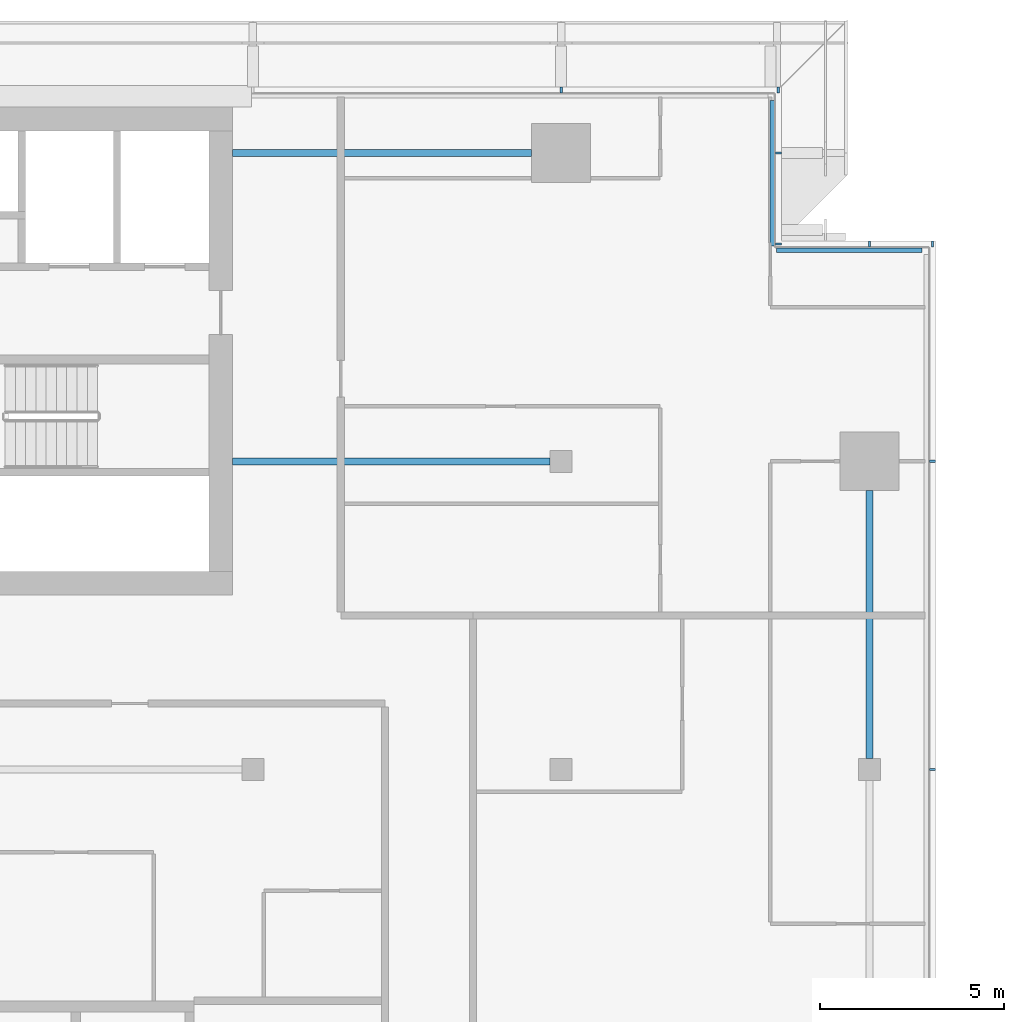
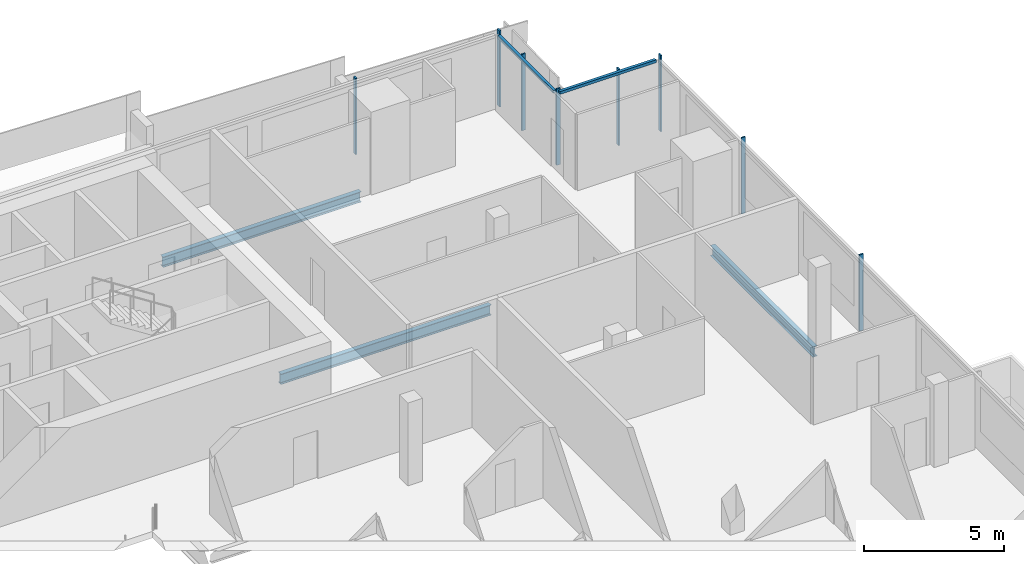
# One storey, part 13 of 29: 10 members, 3 beams, 4 elements without a shape of their own.
"""IFC4 building model written with IfcOpenShell, lengths in metres."""

from ifc_helpers import new_model, si_unit, direction, frame, origin, origin_2d, place, context, subcontext, project, spatial, rectangle, i_section, extrude, material, material_profile, profile_set, type_object, element, aggregate, save


model = new_model("IFC4")

# Units and contexts
model_context = context("Model", 3, precision=1e-05, world=origin(), true_north=direction((0.0, 1.0)))
body_context = subcontext(model_context, "Body", "Model", "MODEL_VIEW")
ifc_project = project(units=[si_unit("LENGTHUNIT", "METRE"), si_unit("AREAUNIT", "SQUARE_METRE"), si_unit("VOLUMEUNIT", "CUBIC_METRE"), si_unit("PLANEANGLEUNIT", "RADIAN"), si_unit("MASSUNIT", "GRAM", prefix="KILO")], contexts=[model_context])

# Site, building, storey
site_placement = place(None, origin())
site = spatial("IfcSite", under=ifc_project, at=site_placement, CompositionType="ELEMENT")
building_placement = place(site_placement, origin())
building = spatial("IfcBuilding", under=site, at=building_placement, Name="Saffron Gate Tower", CompositionType="ELEMENT")
storey_placement = place(building_placement, frame((0.0, 0.0, 227.10009765625)))
storey = spatial("IfcBuildingStorey", under=building, at=storey_placement, Name="L55", CompositionType="ELEMENT", Elevation=227.10009765625)

# Beams
ifc_material_1 = material(Name="Structural steel S355", Category="steel")
ifc_material_profile_1 = material_profile(ifc_material_1, i_section(OverallWidth=0.18994140625, OverallDepth=0.449951171875, WebThickness=0.009521484375, FlangeThickness=0.0146484375, FilletRadius=0.02099609375, at=origin_2d()))
ifc_profile_set_1 = profile_set([ifc_material_profile_1], Name="Structural steel S355")
beam_type_1 = type_object("IfcBeamType", Name="B6 IPE 450", PredefinedType="BEAM", material=ifc_profile_set_1)
beam_1_placement = place(storey_placement, frame((116.699951171875, 65.39990234375, -0.505126953125), z_axis=(-1.0, 0.0, 0.0), x_axis=(0.0, -1.0, 0.0)))
element("IfcBeam", 1, at=beam_1_placement, inside=storey, type_object=beam_type_1, Name="B6 CORE TIE BEAM", PredefinedType="BEAM", context=body_context, shape_type="SweptSolid", body=[
    extrude(i_section(OverallWidth=0.18994140625, OverallDepth=0.449951171875, WebThickness=0.009521484375, FlangeThickness=0.0146484375, FilletRadius=0.02099609375, at=origin_2d()), origin(), (0.0, 0.0, 1.0), 8.64990234375),
])
beam_2_placement = place(storey_placement, frame((116.199951171875, 73.800048828125, -0.505126953125), z_axis=(-1.0, 0.0, 0.0), x_axis=(0.0, -1.0, 0.0)))
element("IfcBeam", 2, at=beam_2_placement, inside=storey, type_object=beam_type_1, Name="B6 CORE TIE BEAM", PredefinedType="BEAM", context=body_context, shape_type="SweptSolid", body=[
    extrude(i_section(OverallWidth=0.18994140625, OverallDepth=0.449951171875, WebThickness=0.009521484375, FlangeThickness=0.0146484375, FilletRadius=0.02099609375, at=origin_2d()), origin(), (0.0, 0.0, 1.0), 8.14990234375),
])
ifc_material_profile_2 = material_profile(ifc_material_1, i_section(OverallWidth=0.18994140625, OverallDepth=0.449951171875, WebThickness=0.009521484375, FlangeThickness=0.0146484375, FilletRadius=0.02099609375, at=origin_2d()))
ifc_profile_set_2 = profile_set([ifc_material_profile_2], Name="Structural steel S355")
beam_type_2 = type_object("IfcBeamType", Name="B7 IPE 450", PredefinedType="SPANDREL", material=ifc_profile_set_2)
beam_3_placement = place(storey_placement, frame((125.39990234375, 57.300048828125, -0.505126953125), z_axis=(0.0, 1.0, 0.0), x_axis=(-1.0, 0.0, 0.0)))
element("IfcBeam", 3, at=beam_3_placement, inside=storey, type_object=beam_type_2, Name="B7 SPANDREL BEAM", PredefinedType="SPANDREL", context=body_context, shape_type="SweptSolid", body=[
    extrude(i_section(OverallWidth=0.18994140625, OverallDepth=0.449951171875, WebThickness=0.009521484375, FlangeThickness=0.0146484375, FilletRadius=0.02099609375, at=origin_2d()), origin(), (0.0, 0.0, 1.0), 7.300048828125),
])

# Curtain wall, members
ifc_material_2 = material(Name="Aluminium, bronze anodised", Category="aluminium")
curtain_wall_type_1 = type_object("IfcCurtainWallType", Name="CWS2 curtain wall side facades", PredefinedType="NOTDEFINED", material=ifc_material_2)
curtain_wall_1_placement = place(storey_placement, origin())
curtain_wall_1 = element("IfcCurtainWall", 4, at=curtain_wall_1_placement, inside=storey, type_object=curtain_wall_type_1, Name="CWS2 run 4", PredefinedType="NOTDEFINED")
ifc_material_profile_3 = material_profile(ifc_material_2, rectangle(XDim=0.159912109375, YDim=0.06005859375, at=origin_2d()))
ifc_profile_set_3 = profile_set([ifc_material_profile_3], Name="Aluminium, bronze anodised")
member_type_1 = type_object("IfcMemberType", Name="CWS2 mullion 60x160", PredefinedType="MULLION", material=ifc_profile_set_3)
member_1_placement = place(storey_placement, frame((127.1201171875, 57.0, 0.0), z_axis=(0.0, 0.0, 1.0), x_axis=(-1.0, 0.0, 0.0)))
member_1 = element("IfcMember", 5, at=member_1_placement, type_object=member_type_1, Name="CWS2 mullion 4", PredefinedType="MULLION", context=body_context, shape_type="SweptSolid", body=[
    extrude(rectangle(XDim=0.159912109375, YDim=0.06005859375, at=origin_2d()), origin(), (0.0, 0.0, 1.0), 3.31982421875),
])
member_2_placement = place(storey_placement, frame((127.1201171875, 65.39990234375, 0.0), z_axis=(0.0, 0.0, 1.0), x_axis=(-1.0, 0.0, 0.0)))
member_2 = element("IfcMember", 6, at=member_2_placement, type_object=member_type_1, Name="CWS2 mullion 5", PredefinedType="MULLION", context=body_context, shape_type="SweptSolid", body=[
    extrude(rectangle(XDim=0.159912109375, YDim=0.06005859375, at=origin_2d()), origin(), (0.0, 0.0, 1.0), 3.31982421875),
])
aggregate(curtain_wall_1, [member_1, member_2])

curtain_wall_type_2 = type_object("IfcCurtainWallType", Name="CWS3 curtain wall rear facade", PredefinedType="NOTDEFINED", material=ifc_material_2)
curtain_wall_2_placement = place(storey_placement, origin())
curtain_wall_2 = element("IfcCurtainWall", 7, at=curtain_wall_2_placement, inside=storey, type_object=curtain_wall_type_2, Name="CWS3 run 7", PredefinedType="NOTDEFINED")
ifc_material_profile_4 = material_profile(ifc_material_2, rectangle(XDim=0.159912109375, YDim=0.070068359375, at=origin_2d()))
ifc_profile_set_4 = profile_set([ifc_material_profile_4], Name="Aluminium, bronze anodised")
member_type_2 = type_object("IfcMemberType", Name="CWS3 mullion 70x160", PredefinedType="MULLION", material=ifc_profile_set_4)
member_3_placement = place(storey_placement, frame((122.919921875, 75.52001953125, 0.0), z_axis=(0.0, 0.0, 1.0), x_axis=(0.0, -1.0, 0.0)))
member_3 = element("IfcMember", 8, at=member_3_placement, type_object=member_type_2, Name="CWS3 mullion 1", PredefinedType="MULLION", context=body_context, shape_type="SweptSolid", body=[
    extrude(rectangle(XDim=0.159912109375, YDim=0.070068359375, at=origin_2d()), origin(), (0.0, 0.0, 1.0), 3.31982421875),
])
member_4_placement = place(storey_placement, frame((117.0, 75.52001953125, 0.0), z_axis=(0.0, 0.0, 1.0), x_axis=(0.0, -1.0, 0.0)))
member_4 = element("IfcMember", 9, at=member_4_placement, type_object=member_type_2, Name="CWS3 mullion 2", PredefinedType="MULLION", context=body_context, shape_type="SweptSolid", body=[
    extrude(rectangle(XDim=0.159912109375, YDim=0.070068359375, at=origin_2d()), origin(), (0.0, 0.0, 1.0), 3.31982421875),
])
aggregate(curtain_wall_2, [member_3, member_4])

# Curtain wall, member
curtain_wall_type_3 = type_object("IfcCurtainWallType", Name="CWS4 curtain wall corner returns", PredefinedType="NOTDEFINED", material=ifc_material_2)
curtain_wall_3_placement = place(storey_placement, origin())
curtain_wall_3 = element("IfcCurtainWall", 10, at=curtain_wall_3_placement, inside=storey, type_object=curtain_wall_type_3, Name="CWS4 run 5", PredefinedType="NOTDEFINED")
ifc_material_profile_5 = material_profile(ifc_material_2, rectangle(XDim=0.1201171875, YDim=0.1201171875, at=origin_2d()))
ifc_profile_set_5 = profile_set([ifc_material_profile_5], Name="Aluminium, bronze anodised")
member_type_3 = type_object("IfcMemberType", Name="CWS4 head transom", PredefinedType="USERDEFINED", material=ifc_profile_set_5)
member_5_placement = place(storey_placement, frame((126.83203125, 71.152099609375, 3.260009765625), z_axis=(-1.0, 0.0, 0.0), x_axis=(0.0, -1.0, 0.0)))
member_5 = element("IfcMember", 11, at=member_5_placement, type_object=member_type_3, Name="CWS4 head transom", ObjectType="TRANSOM", PredefinedType="USERDEFINED", context=body_context, shape_type="SweptSolid", body=[
    extrude(rectangle(XDim=0.1201171875, YDim=0.1201171875, at=origin_2d()), origin(), (0.0, 0.0, 1.0), 3.9599609375),
])

curtain_wall_4_placement = place(storey_placement, origin())
curtain_wall_4 = element("IfcCurtainWall", 12, at=curtain_wall_4_placement, inside=storey, type_object=curtain_wall_type_3, Name="CWS4 run 6", PredefinedType="NOTDEFINED")
member_6_placement = place(storey_placement, frame((122.751953125, 71.27197265625, 3.260009765625), z_axis=(0.0, 1.0, 0.0), x_axis=(-1.0, 0.0, 0.0)))
member_6 = element("IfcMember", 13, at=member_6_placement, type_object=member_type_3, Name="CWS4 head transom", ObjectType="TRANSOM", PredefinedType="USERDEFINED", context=body_context, shape_type="SweptSolid", body=[
    extrude(rectangle(XDim=0.1201171875, YDim=0.1201171875, at=origin_2d()), origin(), (0.0, 0.0, 1.0), 3.9599609375),
])

# Member
ifc_material_profile_6 = material_profile(ifc_material_2, rectangle(XDim=0.159912109375, YDim=0.06005859375, at=origin_2d()))
ifc_profile_set_6 = profile_set([ifc_material_profile_6], Name="Aluminium, bronze anodised")
member_type_4 = type_object("IfcMemberType", Name="CWS4 mullion 60x160", PredefinedType="MULLION", material=ifc_profile_set_6)
member_7_placement = place(storey_placement, frame((127.1201171875, 71.320068359375, 0.0), z_axis=(0.0, 0.0, 1.0), x_axis=(0.0, -1.0, 0.0)))
member_7 = element("IfcMember", 14, at=member_7_placement, type_object=member_type_4, Name="CWS4 mullion 1", PredefinedType="MULLION", context=body_context, shape_type="SweptSolid", body=[
    extrude(rectangle(XDim=0.159912109375, YDim=0.06005859375, at=origin_2d()), origin(), (0.0, 0.0, 1.0), 3.31982421875),
])

member_8_placement = place(storey_placement, frame((125.39990234375, 71.320068359375, 0.0), z_axis=(0.0, 0.0, 1.0), x_axis=(0.0, -1.0, 0.0)))
member_8 = element("IfcMember", 15, at=member_8_placement, type_object=member_type_4, Name="CWS4 mullion 2", PredefinedType="MULLION", context=body_context, shape_type="SweptSolid", body=[
    extrude(rectangle(XDim=0.159912109375, YDim=0.06005859375, at=origin_2d()), origin(), (0.0, 0.0, 1.0), 3.31982421875),
])

aggregate(curtain_wall_3, [member_7, member_8, member_5])

member_9_placement = place(storey_placement, frame((122.919921875, 71.320068359375, 0.0), z_axis=(0.0, 0.0, 1.0), x_axis=(-1.0, 0.0, 0.0)))
member_9 = element("IfcMember", 16, at=member_9_placement, type_object=member_type_4, Name="CWS4 mullion 1", PredefinedType="MULLION", context=body_context, shape_type="SweptSolid", body=[
    extrude(rectangle(XDim=0.159912109375, YDim=0.06005859375, at=origin_2d()), origin(), (0.0, 0.0, 1.0), 3.31982421875),
])

member_10_placement = place(storey_placement, frame((122.919921875, 73.800048828125, 0.0), z_axis=(0.0, 0.0, 1.0), x_axis=(-1.0, 0.0, 0.0)))
member_10 = element("IfcMember", 17, at=member_10_placement, type_object=member_type_4, Name="CWS4 mullion 2", PredefinedType="MULLION", context=body_context, shape_type="SweptSolid", body=[
    extrude(rectangle(XDim=0.159912109375, YDim=0.06005859375, at=origin_2d()), origin(), (0.0, 0.0, 1.0), 3.31982421875),
])

aggregate(curtain_wall_4, [member_9, member_10, member_6])

save(model, "model.ifc")
